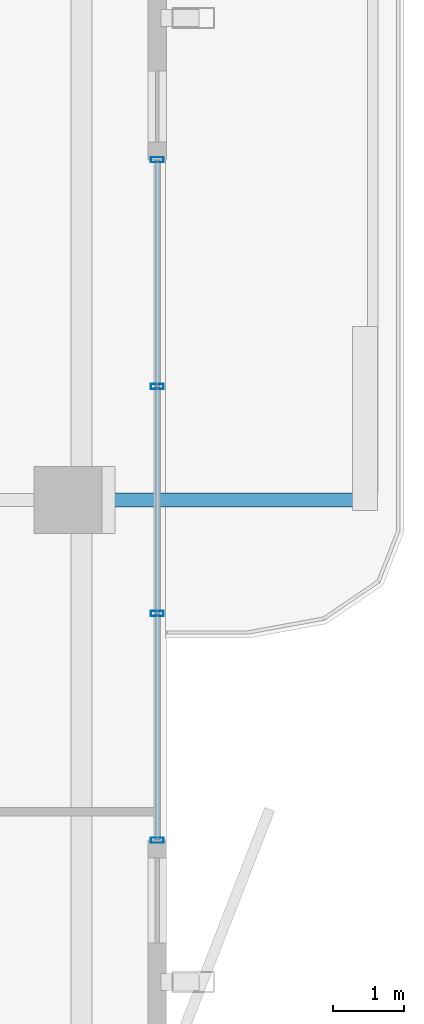
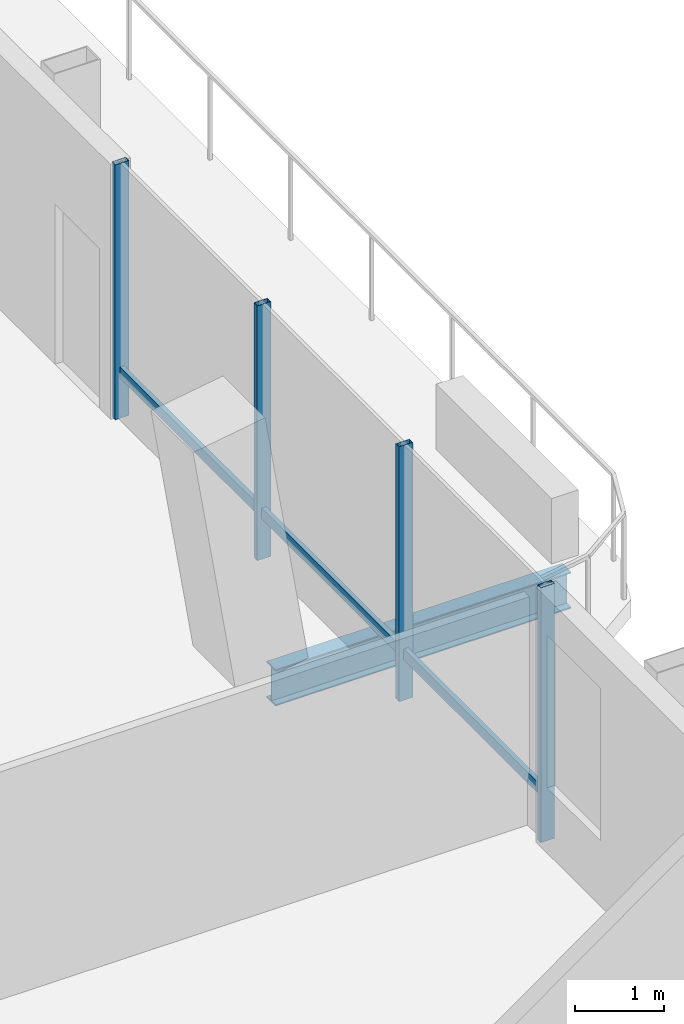
# One storey, part 9 of 20: 7 members, 1 beam, 1 element without a shape of its own.
"""IFC4 building model written with IfcOpenShell, lengths in metres."""

from ifc_helpers import new_model, si_unit, direction, frame, origin, origin_2d, place, context, subcontext, project, spatial, hollow_rectangle, i_section, extrude, material, layer, layer_set, material_profile, profile_set, type_object, element, aggregate, save


model = new_model("IFC4")

# Units and contexts
model_context = context("Model", 3, precision=1e-05, world=origin(), true_north=direction((0.0, 1.0)))
body_context = subcontext(model_context, "Body", "Model", "MODEL_VIEW")
ifc_project = project(units=[si_unit("LENGTHUNIT", "METRE"), si_unit("AREAUNIT", "SQUARE_METRE"), si_unit("VOLUMEUNIT", "CUBIC_METRE"), si_unit("PLANEANGLEUNIT", "RADIAN"), si_unit("MASSUNIT", "GRAM", prefix="KILO")], contexts=[model_context])

# Site, building, storey
site_placement = place(None, origin())
site = spatial("IfcSite", under=ifc_project, at=site_placement, CompositionType="ELEMENT")
building_placement = place(site_placement, origin())
building = spatial("IfcBuilding", under=site, at=building_placement, Name="Belovzor Exchange Tower", CompositionType="ELEMENT")
storey_placement = place(building_placement, frame((0.0, 0.0, 329.25)))
storey = spatial("IfcBuildingStorey", under=building, at=storey_placement, Name="L82", CompositionType="ELEMENT", Elevation=329.25)

# Beam
ifc_material_1 = material(Name="Steel S355", Category="steel")
ifc_material_profile_1 = material_profile(ifc_material_1, i_section(OverallWidth=0.199951171875, OverallDepth=0.5, WebThickness=0.01025390625, FlangeThickness=0.01611328125, at=origin_2d()))
ifc_profile_set_1 = profile_set([ifc_material_profile_1], Name="Steel S355")
beam_type = type_object("IfcBeamType", Name="Planted Balcony Cantilever Beam IPE 500", PredefinedType="BEAM", material=ifc_profile_set_1)
beam_placement = place(storey_placement, frame((50.660888671875, 28.800048828125, -0.489990234375), z_axis=(1.0, 0.0, 0.0), x_axis=(0.0, 1.0, 0.0)))
element("IfcBeam", 1, at=beam_placement, inside=storey, type_object=beam_type, Name="BC-500 Planted Balcony Cantilever Beam IPE 500", PredefinedType="BEAM", context=body_context, shape_type="SweptSolid", body=[
    extrude(i_section(OverallWidth=0.199951171875, OverallDepth=0.5, WebThickness=0.01025390625, FlangeThickness=0.01611328125, at=origin_2d()), origin(), (0.0, 0.0, 1.0), 3.85009765625),
])

# Curtain wall, members
ifc_material_2 = material(Name="Anodised Aluminium Framing", Category="aluminium")
ifc_layer = layer(ifc_material_2, 0.179931640625)
ifc_layer_set = layer_set([ifc_layer], Name="Anodised Aluminium Framing")
curtain_wall_type = type_object("IfcCurtainWallType", Name="Recessed Loggia Low-Iron Triple-Glazed Curtain Wall", PredefinedType="NOTDEFINED", material=ifc_layer_set)
curtain_wall_placement = place(storey_placement, origin())
curtain_wall = element("IfcCurtainWall", 2, at=curtain_wall_placement, inside=storey, type_object=curtain_wall_type, Name="CW3 Recessed Loggia Low-Iron Triple-Glazed Curtain Wall L82", PredefinedType="NOTDEFINED")
ifc_material_3 = material(Name="Steel S355", Category="steel")
ifc_material_profile_2 = material_profile(ifc_material_3, hollow_rectangle(XDim=0.074951171875, YDim=0.179931640625, WallThickness=0.0048828125, at=origin_2d()))
ifc_profile_set_2 = profile_set([ifc_material_profile_2], Name="Steel S355")
member_type_1 = type_object("IfcMemberType", Name="Thermally Broken Curtain Wall Mullion 180x75", PredefinedType="MULLION", material=ifc_profile_set_2)
member_1_placement = place(storey_placement, frame((51.469970703125, 33.60009765625, 0.0), z_axis=(0.0, 0.0, 1.0), x_axis=(0.0, -1.0, 0.0)))
member_1 = element("IfcMember", 3, at=member_1_placement, type_object=member_type_1, Name="CW-M180 Curtain Wall Mullion 1", PredefinedType="MULLION", context=body_context, shape_type="SweptSolid", body=[
    extrude(hollow_rectangle(XDim=0.074951171875, YDim=0.179931640625, WallThickness=0.0048828125, at=origin_2d()), origin(), (0.0, 0.0, 1.0), 3.510009765625),
])
member_2_placement = place(storey_placement, frame((51.469970703125, 30.39990234375, 0.0), z_axis=(0.0, 0.0, 1.0), x_axis=(0.0, -1.0, 0.0)))
member_2 = element("IfcMember", 4, at=member_2_placement, type_object=member_type_1, Name="CW-M180 Curtain Wall Mullion 2", PredefinedType="MULLION", context=body_context, shape_type="SweptSolid", body=[
    extrude(hollow_rectangle(XDim=0.074951171875, YDim=0.179931640625, WallThickness=0.0048828125, at=origin_2d()), origin(), (0.0, 0.0, 1.0), 3.510009765625),
])
member_3_placement = place(storey_placement, frame((51.469970703125, 27.199951171875, 0.0), z_axis=(0.0, 0.0, 1.0), x_axis=(0.0, -1.0, 0.0)))
member_3 = element("IfcMember", 5, at=member_3_placement, type_object=member_type_1, Name="CW-M180 Curtain Wall Mullion 3", PredefinedType="MULLION", context=body_context, shape_type="SweptSolid", body=[
    extrude(hollow_rectangle(XDim=0.074951171875, YDim=0.179931640625, WallThickness=0.0048828125, at=origin_2d()), origin(), (0.0, 0.0, 1.0), 3.510009765625),
])
member_4_placement = place(storey_placement, frame((51.469970703125, 24.0, 0.0), z_axis=(0.0, 0.0, 1.0), x_axis=(0.0, -1.0, 0.0)))
member_4 = element("IfcMember", 6, at=member_4_placement, type_object=member_type_1, Name="CW-M180 Curtain Wall Mullion 4", PredefinedType="MULLION", context=body_context, shape_type="SweptSolid", body=[
    extrude(hollow_rectangle(XDim=0.074951171875, YDim=0.179931640625, WallThickness=0.0048828125, at=origin_2d()), origin(), (0.0, 0.0, 1.0), 3.510009765625),
])
ifc_material_4 = material(Name="Steel S355", Category="steel")
ifc_material_profile_3 = material_profile(ifc_material_4, hollow_rectangle(XDim=0.06005859375, YDim=0.14990234375, WallThickness=0.00390625, at=origin_2d()))
ifc_profile_set_3 = profile_set([ifc_material_profile_3], Name="Steel S355")
member_type_2 = type_object("IfcMemberType", Name="Thermally Broken Curtain Wall Transom 150x60", PredefinedType="USERDEFINED", material=ifc_profile_set_3)
member_5_placement = place(storey_placement, frame((51.469970703125, 33.592041015625, 0.632080078125), z_axis=(0.0, -1.0, 0.0), x_axis=(1.0, 0.0, 0.0)))
member_5 = element("IfcMember", 7, at=member_5_placement, type_object=member_type_2, Name="CW-T150 Curtain Wall Transom 1", ObjectType="TRANSOM", PredefinedType="USERDEFINED", context=body_context, shape_type="SweptSolid", body=[
    extrude(hollow_rectangle(XDim=0.06005859375, YDim=0.14990234375, WallThickness=0.00390625, at=origin_2d()), origin(), (0.0, 0.0, 1.0), 3.18408203125),
])
member_6_placement = place(storey_placement, frame((51.469970703125, 30.39208984375, 0.632080078125), z_axis=(0.0, -1.0, 0.0), x_axis=(1.0, 0.0, 0.0)))
member_6 = element("IfcMember", 8, at=member_6_placement, type_object=member_type_2, Name="CW-T150 Curtain Wall Transom 2", ObjectType="TRANSOM", PredefinedType="USERDEFINED", context=body_context, shape_type="SweptSolid", body=[
    extrude(hollow_rectangle(XDim=0.06005859375, YDim=0.14990234375, WallThickness=0.00390625, at=origin_2d()), origin(), (0.0, 0.0, 1.0), 3.18408203125),
])
member_7_placement = place(storey_placement, frame((51.469970703125, 27.19189453125, 0.632080078125), z_axis=(0.0, -1.0, 0.0), x_axis=(1.0, 0.0, 0.0)))
member_7 = element("IfcMember", 9, at=member_7_placement, type_object=member_type_2, Name="CW-T150 Curtain Wall Transom 3", ObjectType="TRANSOM", PredefinedType="USERDEFINED", context=body_context, shape_type="SweptSolid", body=[
    extrude(hollow_rectangle(XDim=0.06005859375, YDim=0.14990234375, WallThickness=0.00390625, at=origin_2d()), origin(), (0.0, 0.0, 1.0), 3.183837890625),
])
aggregate(curtain_wall, [member_1, member_2, member_3, member_4, member_5, member_6, member_7])

save(model, "model.ifc")
